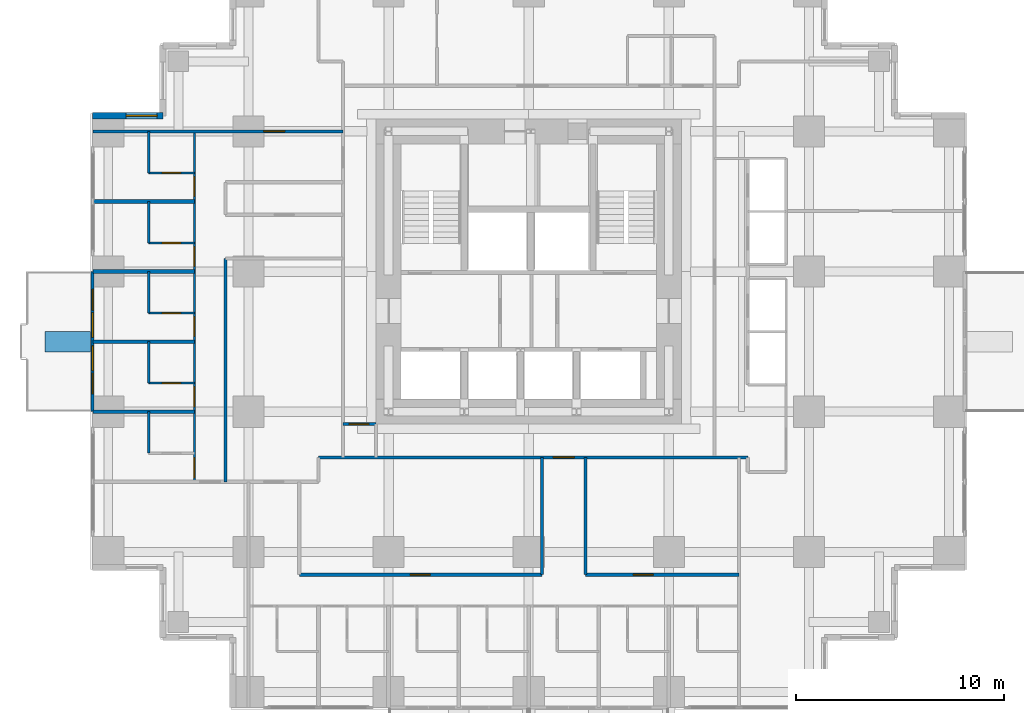
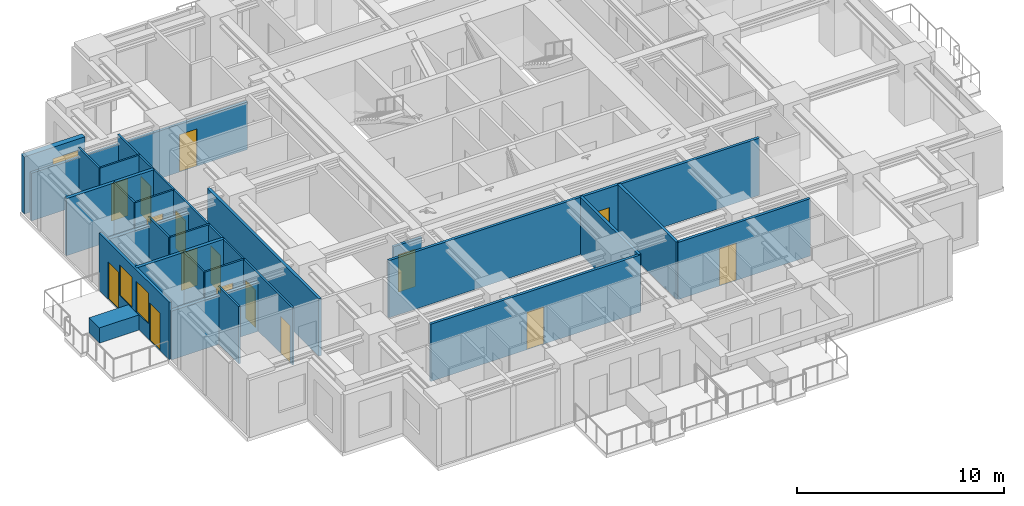
# One storey, part 6 of 11: 25 walls, 16 doors, 3 windows, 19 openings.
"""IFC4 building model written with IfcOpenShell, lengths in metres."""

from ifc_helpers import new_model, si_unit, direction, frame, frame_2d, origin, place, context, subcontext, project, spatial, rectangle, extrude, material, layer, layer_set, type_object, element, fill, save


model = new_model("IFC4")

# Units and contexts
model_context = context("Model", 3, precision=1e-05, world=origin(), true_north=direction((0.0, 1.0)))
body_context = subcontext(model_context, "Body", "Model", "MODEL_VIEW")
ifc_project = project(units=[si_unit("LENGTHUNIT", "METRE"), si_unit("AREAUNIT", "SQUARE_METRE"), si_unit("VOLUMEUNIT", "CUBIC_METRE"), si_unit("PLANEANGLEUNIT", "RADIAN"), si_unit("MASSUNIT", "GRAM", prefix="KILO")], contexts=[model_context])

# Site, building, storey
site_placement = place(None, origin())
site = spatial("IfcSite", under=ifc_project, at=site_placement, CompositionType="ELEMENT")
building_placement = place(site_placement, origin())
building = spatial("IfcBuilding", under=site, at=building_placement, Name="Nyansa Garden Tower", CompositionType="ELEMENT")
storey_placement = place(building_placement, frame((0.0, 0.0, 108.89990234375)))
storey = spatial("IfcBuildingStorey", under=building, at=storey_placement, Name="L29", CompositionType="ELEMENT", Elevation=108.89990234375)

# Walls
ifc_material_1 = material(Name="Dense blockwork, plastered both sides, 55 dB", Category="masonry")
ifc_layer_1 = layer(ifc_material_1, 0.175048828125)
ifc_layer_set_1 = layer_set([ifc_layer_1], Name="Acoustic party wall PW175")
wall_type_1 = type_object("IfcWallType", Name="Acoustic party wall PW175", PredefinedType="PARTITIONING", material=ifc_layer_set_1)
wall_1_placement = place(storey_placement, frame((-0.73388671875, 13.5, 0.0), z_axis=(0.0, 0.0, 1.0), x_axis=(1.0, 0.0, 0.0)))
element("IfcWall", 1, at=wall_1_placement, inside=storey, type_object=wall_type_1, Name="Party wall", PredefinedType="PARTITIONING", context=body_context, shape_type="SweptSolid", body=[
    extrude(rectangle(XDim=4.8837890625, YDim=0.175048828125, at=frame_2d((2.44189453125, 0.0))), origin(), (0.0, 0.0, 1.0), 2.877197265625),
])
wall_2_placement = place(storey_placement, frame((-0.73388671875, 16.875, 0.0), z_axis=(0.0, 0.0, 1.0), x_axis=(1.0, 0.0, 0.0)))
element("IfcWall", 2, at=wall_2_placement, inside=storey, type_object=wall_type_1, Name="Party wall", PredefinedType="PARTITIONING", context=body_context, shape_type="SweptSolid", body=[
    extrude(rectangle(XDim=4.8837890625, YDim=0.175048828125, at=frame_2d((2.44189453125, 0.0))), origin(), (0.0, 0.0, 1.0), 3.375),
])
wall_3_placement = place(storey_placement, frame((-0.73388671875, 20.25, 0.0), z_axis=(0.0, 0.0, 1.0), x_axis=(1.0, 0.0, 0.0)))
element("IfcWall", 3, at=wall_3_placement, inside=storey, type_object=wall_type_1, Name="Party wall", PredefinedType="PARTITIONING", context=body_context, shape_type="SweptSolid", body=[
    extrude(rectangle(XDim=4.8837890625, YDim=0.175048828125, at=frame_2d((2.44189453125, 0.0))), origin(), (0.0, 0.0, 1.0), 2.877197265625),
])
wall_4_placement = place(storey_placement, frame((-0.73388671875, 23.625, 0.0), z_axis=(0.0, 0.0, 1.0), x_axis=(1.0, 0.0, 0.0)))
element("IfcWall", 4, at=wall_4_placement, inside=storey, type_object=wall_type_1, Name="Party wall", PredefinedType="PARTITIONING", context=body_context, shape_type="SweptSolid", body=[
    extrude(rectangle(XDim=4.8837890625, YDim=0.175048828125, at=frame_2d((2.44189453125, 0.0))), origin(), (0.0, 0.0, 1.0), 3.375),
])

# Wall, openings, doors, windows
ifc_material_2 = material(Name="Black aluminium framed glazed screen", Category="aluminium")
ifc_layer_2 = layer(ifc_material_2, 0.14990234375)
ifc_layer_set_2 = layer_set([ifc_layer_2], Name="Balcony screen wall BW150")
wall_type_2 = type_object("IfcWallType", Name="Balcony screen wall BW150", PredefinedType="SOLIDWALL", material=ifc_layer_set_2)
wall_5_placement = place(storey_placement, frame((-0.75, 13.5, 0.0), z_axis=(0.0, 0.0, 1.0), x_axis=(0.0, 1.0, 0.0)))
wall_5 = element("IfcWall", 5, at=wall_5_placement, inside=storey, type_object=wall_type_2, Name="Glazed screen wall L29 W", PredefinedType="SOLIDWALL", context=body_context, shape_type="SweptSolid", body=[
    extrude(rectangle(XDim=6.75, YDim=0.14990234375, at=frame_2d((3.375, 0.0))), origin(), (0.0, 0.0, 1.0), 3.375),
])
opening_1_placement = place(wall_5_placement, frame((0.862548828125, 0.0, 0.0)))
opening_1 = element("IfcOpeningElement", 6, at=opening_1_placement, cuts=wall_5, Name="Opening D20", PredefinedType="OPENING", context=body_context, shape_type="SweptSolid", body=[
    extrude(rectangle(XDim=1.0, YDim=2.199951171875, at=frame_2d((0.5, 1.10009765625))), frame((0.0, 0.0849609375, 0.0), z_axis=(0.0, -1.0, 0.0), x_axis=(1.0, 0.0, 0.0)), (0.0, 0.0, 1.0), 0.169921875),
])
opening_2_placement = place(wall_5_placement, frame((1.97509765625, 0.0, 0.89990234375)))
opening_2 = element("IfcOpeningElement", 7, at=opening_2_placement, cuts=wall_5, Name="Opening W6", PredefinedType="OPENING", context=body_context, shape_type="SweptSolid", body=[
    extrude(rectangle(XDim=1.199951171875, YDim=1.800048828125, at=frame_2d((0.60009765625, 0.89990234375))), frame((0.0, 0.0849609375, 0.0), z_axis=(0.0, -1.0, 0.0), x_axis=(1.0, 0.0, 0.0)), (0.0, 0.0, 1.0), 0.169921875),
])
opening_3_placement = place(wall_5_placement, frame((4.887451171875, 0.0, 0.0)))
opening_3 = element("IfcOpeningElement", 8, at=opening_3_placement, cuts=wall_5, Name="Opening D20", PredefinedType="OPENING", context=body_context, shape_type="SweptSolid", body=[
    extrude(rectangle(XDim=1.0, YDim=2.199951171875, at=frame_2d((0.5, 1.10009765625))), frame((0.0, 0.0849609375, 0.0), z_axis=(0.0, -1.0, 0.0), x_axis=(1.0, 0.0, 0.0)), (0.0, 0.0, 1.0), 0.169921875),
])
opening_4_placement = place(wall_5_placement, frame((3.574951171875, 0.0, 0.89990234375)))
opening_4 = element("IfcOpeningElement", 9, at=opening_4_placement, cuts=wall_5, Name="Opening W6", PredefinedType="OPENING", context=body_context, shape_type="SweptSolid", body=[
    extrude(rectangle(XDim=1.199951171875, YDim=1.800048828125, at=frame_2d((0.60009765625, 0.89990234375))), frame((0.0, 0.0849609375, 0.0), z_axis=(0.0, -1.0, 0.0), x_axis=(1.0, 0.0, 0.0)), (0.0, 0.0, 1.0), 0.169921875),
])
ifc_material_3 = material(Name="Black aluminium framed glazed door", Category="aluminium")
door_type_1 = type_object("IfcDoorType", Name="Balcony door D20 1000x2200", OperationType="NOTDEFINED", PredefinedType="DOOR", material=ifc_material_3)
door_1_placement = place(opening_1_placement, origin())
door_1 = element("IfcDoor", 10, at=door_1_placement, inside=storey, type_object=door_type_1, Name="Balcony door L29", OperationType="SINGLE_SWING_LEFT", OverallHeight=2.199951171875, OverallWidth=1.0, PredefinedType="DOOR", context=body_context, shape_type="SweptSolid", body=[
    extrude(rectangle(XDim=1.0, YDim=2.199951171875, at=frame_2d((0.5, 1.10009765625))), frame((0.0, 0.02490234375, 0.0), z_axis=(0.0, -1.0, 0.0), x_axis=(1.0, 0.0, 0.0)), (0.0, 0.0, 1.0), 0.050048828125),
])
fill(opening_1, door_1)
door_2_placement = place(opening_3_placement, origin())
door_2 = element("IfcDoor", 11, at=door_2_placement, inside=storey, type_object=door_type_1, Name="Balcony door L29", OperationType="SINGLE_SWING_RIGHT", OverallHeight=2.199951171875, OverallWidth=1.0, PredefinedType="DOOR", context=body_context, shape_type="SweptSolid", body=[
    extrude(rectangle(XDim=1.0, YDim=2.199951171875, at=frame_2d((0.5, 1.10009765625))), frame((0.0, 0.02490234375, 0.0), z_axis=(0.0, -1.0, 0.0), x_axis=(1.0, 0.0, 0.0)), (0.0, 0.0, 1.0), 0.050048828125),
])
fill(opening_3, door_2)
ifc_material_4 = material(Name="Black aluminium frame, dark tinted double glazing", Category="aluminium")
window_type_1 = type_object("IfcWindowType", Name="Balcony window W6 1200x1800", PartitioningType="SINGLE_PANEL", PredefinedType="WINDOW", material=ifc_material_4)
window_1_placement = place(opening_2_placement, origin())
window_1 = element("IfcWindow", 12, at=window_1_placement, inside=storey, type_object=window_type_1, Name="Window L29", OverallHeight=1.800048828125, OverallWidth=1.199951171875, PartitioningType="SINGLE_PANEL", PredefinedType="WINDOW", context=body_context, shape_type="SweptSolid", body=[
    extrude(rectangle(XDim=1.199951171875, YDim=1.800048828125, at=frame_2d((0.60009765625, 0.89990234375))), frame((0.0, 0.030029296875, 0.0), z_axis=(0.0, -1.0, 0.0), x_axis=(1.0, 0.0, 0.0)), (0.0, 0.0, 1.0), 0.06005859375),
])
fill(opening_2, window_1)
window_2_placement = place(opening_4_placement, origin())
window_2 = element("IfcWindow", 13, at=window_2_placement, inside=storey, type_object=window_type_1, Name="Window L29", OverallHeight=1.800048828125, OverallWidth=1.199951171875, PartitioningType="SINGLE_PANEL", PredefinedType="WINDOW", context=body_context, shape_type="SweptSolid", body=[
    extrude(rectangle(XDim=1.199951171875, YDim=1.800048828125, at=frame_2d((0.60009765625, 0.89990234375))), frame((0.0, 0.030029296875, 0.0), z_axis=(0.0, -1.0, 0.0), x_axis=(1.0, 0.0, 0.0)), (0.0, 0.0, 1.0), 0.06005859375),
])
fill(opening_4, window_2)

# Wall, opening, door
ifc_material_5 = material(Name="Blockwork, plastered both sides", Category="masonry")
ifc_layer_3 = layer(ifc_material_5, 0.14990234375)
ifc_layer_set_3 = layer_set([ifc_layer_3], Name="Partition PW150")
wall_type_3 = type_object("IfcWallType", Name="Partition PW150", PredefinedType="PARTITIONING", material=ifc_layer_set_3)
wall_6_placement = place(storey_placement, frame((-0.73388671875, 27.0, 0.0), z_axis=(0.0, 0.0, 1.0), x_axis=(1.0, 0.0, 0.0)))
wall_6 = element("IfcWall", 14, at=wall_6_placement, inside=storey, type_object=wall_type_3, Name="Partition", PredefinedType="PARTITIONING", context=body_context, shape_type="SweptSolid", body=[
    extrude(rectangle(XDim=12.033935546875, YDim=0.14990234375, at=frame_2d((6.01708984375, 0.0))), origin(), (0.0, 0.0, 1.0), 2.80615234375),
])
opening_5_placement = place(wall_6_placement, frame((8.23388671875, 0.0, 0.0)))
opening_5 = element("IfcOpeningElement", 15, at=opening_5_placement, cuts=wall_6, Name="Opening D03", PredefinedType="OPENING", context=body_context, shape_type="SweptSolid", body=[
    extrude(rectangle(XDim=1.0, YDim=2.199951171875, at=frame_2d((0.5, 1.10009765625))), frame((0.0, 0.0849609375, 0.0), z_axis=(0.0, -1.0, 0.0), x_axis=(1.0, 0.0, 0.0)), (0.0, 0.0, 1.0), 0.169921875),
])
ifc_material_6 = material(Name="Timber flush door, 60 minute fire resisting", Category="wood")
door_type_2 = type_object("IfcDoorType", Name="Cluster entrance door D03 1000x2200", OperationType="SINGLE_SWING_LEFT", PredefinedType="DOOR", material=ifc_material_6)
door_3_placement = place(opening_5_placement, origin())
door_3 = element("IfcDoor", 16, at=door_3_placement, inside=storey, type_object=door_type_2, Name="Door L29-054", OperationType="SINGLE_SWING_LEFT", OverallHeight=2.199951171875, OverallWidth=1.0, PredefinedType="DOOR", context=body_context, shape_type="SweptSolid", body=[
    extrude(rectangle(XDim=1.0, YDim=2.199951171875, at=frame_2d((0.5, 1.10009765625))), frame((0.0, 0.02490234375, 0.0), z_axis=(0.0, -1.0, 0.0), x_axis=(1.0, 0.0, 0.0)), (0.0, 0.0, 1.0), 0.050048828125),
])
fill(opening_5, door_3)

# Wall
wall_7_placement = place(storey_placement, frame((5.64990234375, 10.125, 0.0), z_axis=(0.0, 0.0, 1.0), x_axis=(0.0, 1.0, 0.0)))
element("IfcWall", 17, at=wall_7_placement, inside=storey, type_object=wall_type_3, Name="Partition", PredefinedType="PARTITIONING", context=body_context, shape_type="SweptSolid", body=[
    extrude(rectangle(XDim=10.762451171875, YDim=0.14990234375, at=frame_2d((5.38134765625, 0.0))), origin(), (0.0, 0.0, 1.0), 3.375),
])

# Wall, opening, door
wall_8_placement = place(storey_placement, frame((9.199951171875, 5.64990234375, 0.0), z_axis=(0.0, 0.0, 1.0), x_axis=(1.0, 0.0, 0.0)))
wall_8 = element("IfcWall", 18, at=wall_8_placement, inside=storey, type_object=wall_type_3, Name="Partition", PredefinedType="PARTITIONING", context=body_context, shape_type="SweptSolid", body=[
    extrude(rectangle(XDim=11.6875, YDim=0.14990234375, at=frame_2d((5.84375, 0.0))), origin(), (0.0, 0.0, 1.0), 3.375),
])
opening_6_placement = place(wall_8_placement, frame((5.35009765625, 0.0, 0.0)))
opening_6 = element("IfcOpeningElement", 19, at=opening_6_placement, cuts=wall_8, Name="Opening D01", PredefinedType="OPENING", context=body_context, shape_type="SweptSolid", body=[
    extrude(rectangle(XDim=0.949951171875, YDim=2.199951171875, at=frame_2d((0.47509765625, 1.10009765625))), frame((0.0, 0.0849609375, 0.0), z_axis=(0.0, -1.0, 0.0), x_axis=(1.0, 0.0, 0.0)), (0.0, 0.0, 1.0), 0.169921875),
])
ifc_material_7 = material(Name="Timber flush door, 30 minute fire resisting", Category="wood")
door_type_3 = type_object("IfcDoorType", Name="Bedroom door D01 950x2200", OperationType="SINGLE_SWING_LEFT", PredefinedType="DOOR", material=ifc_material_7)
door_4_placement = place(opening_6_placement, origin())
door_4 = element("IfcDoor", 20, at=door_4_placement, inside=storey, type_object=door_type_3, Name="Door L29-035", OperationType="SINGLE_SWING_LEFT", OverallHeight=2.199951171875, OverallWidth=0.949951171875, PredefinedType="DOOR", context=body_context, shape_type="SweptSolid", body=[
    extrude(rectangle(XDim=0.949951171875, YDim=2.199951171875, at=frame_2d((0.47509765625, 1.10009765625))), frame((0.0, 0.02490234375, 0.0), z_axis=(0.0, -1.0, 0.0), x_axis=(1.0, 0.0, 0.0)), (0.0, 0.0, 1.0), 0.050048828125),
])
fill(opening_6, door_4)

wall_9_placement = place(storey_placement, frame((10.125, 11.300048828125, 0.0), z_axis=(0.0, 0.0, 1.0), x_axis=(1.0, 0.0, 0.0)))
wall_9 = element("IfcWall", 21, at=wall_9_placement, inside=storey, type_object=wall_type_3, Name="Partition", PredefinedType="PARTITIONING", context=body_context, shape_type="SweptSolid", body=[
    extrude(rectangle(XDim=20.675048828125, YDim=0.14990234375, at=frame_2d((10.33740234375, 0.0))), origin(), (0.0, 0.0, 1.0), 3.375),
])
opening_7_placement = place(wall_9_placement, frame((11.3125, 0.0, 0.0)))
opening_7 = element("IfcOpeningElement", 22, at=opening_7_placement, cuts=wall_9, Name="Opening D03", PredefinedType="OPENING", context=body_context, shape_type="SweptSolid", body=[
    extrude(rectangle(XDim=1.0, YDim=2.199951171875, at=frame_2d((0.5, 1.10009765625))), frame((0.0, 0.0849609375, 0.0), z_axis=(0.0, -1.0, 0.0), x_axis=(1.0, 0.0, 0.0)), (0.0, 0.0, 1.0), 0.169921875),
])
door_5_placement = place(opening_7_placement, origin())
door_5 = element("IfcDoor", 23, at=door_5_placement, inside=storey, type_object=door_type_2, Name="Door L29-033", OperationType="SINGLE_SWING_LEFT", OverallHeight=2.199951171875, OverallWidth=1.0, PredefinedType="DOOR", context=body_context, shape_type="SweptSolid", body=[
    extrude(rectangle(XDim=1.0, YDim=2.199951171875, at=frame_2d((0.5, 1.10009765625))), frame((0.0, 0.02490234375, 0.0), z_axis=(0.0, -1.0, 0.0), x_axis=(1.0, 0.0, 0.0)), (0.0, 0.0, 1.0), 0.050048828125),
])
fill(opening_7, door_5)

wall_10_placement = place(storey_placement, frame((11.300048828125, 12.89990234375, 0.0), z_axis=(0.0, 0.0, 1.0), x_axis=(1.0, 0.0, 0.0)))
wall_10 = element("IfcWall", 24, at=wall_10_placement, inside=storey, type_object=wall_type_3, Name="Partition", PredefinedType="PARTITIONING", context=body_context, shape_type="SweptSolid", body=[
    extrude(rectangle(XDim=1.599853515625, YDim=0.14990234375, at=frame_2d((0.7998046875, 0.0))), origin(), (0.0, 0.0, 1.0), 2.80615234375),
])
opening_8_placement = place(wall_10_placement, frame((0.300048828125, 0.0, 0.0)))
opening_8 = element("IfcOpeningElement", 25, at=opening_8_placement, cuts=wall_10, Name="Opening D01", PredefinedType="OPENING", context=body_context, shape_type="SweptSolid", body=[
    extrude(rectangle(XDim=0.949951171875, YDim=2.199951171875, at=frame_2d((0.47509765625, 1.10009765625))), frame((0.0, 0.0849609375, 0.0), z_axis=(0.0, -1.0, 0.0), x_axis=(1.0, 0.0, 0.0)), (0.0, 0.0, 1.0), 0.169921875),
])
door_6_placement = place(opening_8_placement, origin())
door_6 = element("IfcDoor", 26, at=door_6_placement, inside=storey, type_object=door_type_3, Name="Door L29-017", OperationType="SINGLE_SWING_LEFT", OverallHeight=2.199951171875, OverallWidth=0.949951171875, PredefinedType="DOOR", context=body_context, shape_type="SweptSolid", body=[
    extrude(rectangle(XDim=0.949951171875, YDim=2.199951171875, at=frame_2d((0.47509765625, 1.10009765625))), frame((0.0, 0.02490234375, 0.0), z_axis=(0.0, -1.0, 0.0), x_axis=(1.0, 0.0, 0.0)), (0.0, 0.0, 1.0), 0.050048828125),
])
fill(opening_8, door_6)

# Wall
wall_11_placement = place(storey_placement, frame((20.886962890625, 5.64990234375, 0.0), z_axis=(0.0, 0.0, 1.0), x_axis=(0.0, 1.0, 0.0)))
element("IfcWall", 27, at=wall_11_placement, inside=storey, type_object=wall_type_3, Name="Partition", PredefinedType="PARTITIONING", context=body_context, shape_type="SweptSolid", body=[
    extrude(rectangle(XDim=5.650146484375, YDim=0.14990234375, at=frame_2d((2.8251953125, 0.0))), origin(), (0.0, 0.0, 1.0), 3.375),
])

# Wall, opening, door
wall_12_placement = place(storey_placement, frame((22.987548828125, 5.64990234375, 0.0), z_axis=(0.0, 0.0, 1.0), x_axis=(1.0, 0.0, 0.0)))
wall_12 = element("IfcWall", 28, at=wall_12_placement, inside=storey, type_object=wall_type_3, Name="Partition", PredefinedType="PARTITIONING", context=body_context, shape_type="SweptSolid", body=[
    extrude(rectangle(XDim=7.387451171875, YDim=0.14990234375, at=frame_2d((3.69384765625, 0.0))), origin(), (0.0, 0.0, 1.0), 3.375),
])
opening_9_placement = place(wall_12_placement, frame((2.300048828125, 0.0, 0.0)))
opening_9 = element("IfcOpeningElement", 29, at=opening_9_placement, cuts=wall_12, Name="Opening D01", PredefinedType="OPENING", context=body_context, shape_type="SweptSolid", body=[
    extrude(rectangle(XDim=0.949951171875, YDim=2.199951171875, at=frame_2d((0.47509765625, 1.10009765625))), frame((0.0, 0.0849609375, 0.0), z_axis=(0.0, -1.0, 0.0), x_axis=(1.0, 0.0, 0.0)), (0.0, 0.0, 1.0), 0.169921875),
])
door_7_placement = place(opening_9_placement, origin())
door_7 = element("IfcDoor", 30, at=door_7_placement, inside=storey, type_object=door_type_3, Name="Door L29-034", OperationType="SINGLE_SWING_LEFT", OverallHeight=2.199951171875, OverallWidth=0.949951171875, PredefinedType="DOOR", context=body_context, shape_type="SweptSolid", body=[
    extrude(rectangle(XDim=0.949951171875, YDim=2.199951171875, at=frame_2d((0.47509765625, 1.10009765625))), frame((0.0, 0.02490234375, 0.0), z_axis=(0.0, -1.0, 0.0), x_axis=(1.0, 0.0, 0.0)), (0.0, 0.0, 1.0), 0.050048828125),
])
fill(opening_9, door_7)

# Wall
wall_13_placement = place(storey_placement, frame((22.988037109375, 5.64990234375, 0.0), z_axis=(0.0, 0.0, 1.0), x_axis=(0.0, 1.0, 0.0)))
element("IfcWall", 31, at=wall_13_placement, inside=storey, type_object=wall_type_3, Name="Partition", PredefinedType="PARTITIONING", context=body_context, shape_type="SweptSolid", body=[
    extrude(rectangle(XDim=5.650146484375, YDim=0.14990234375, at=frame_2d((2.8251953125, 0.0))), origin(), (0.0, 0.0, 1.0), 3.375),
])

# Wall, opening, window
ifc_material_8 = material(Name="Turquoise glazed tile on concrete blockwork", Category="masonry")
ifc_layer_4 = layer(ifc_material_8, 0.300048828125)
ifc_layer_set_4 = layer_set([ifc_layer_4], Name="Tiled corner wall TW300")
wall_type_4 = type_object("IfcWallType", Name="Tiled corner wall TW300", PredefinedType="SOLIDWALL", material=ifc_layer_set_4)
wall_14_placement = place(storey_placement, frame((2.625, 27.75, 0.0), z_axis=(0.0, 0.0, 1.0), x_axis=(-1.0, 0.0, 0.0)))
wall_14 = element("IfcWall", 32, at=wall_14_placement, inside=storey, type_object=wall_type_4, Name="Tiled corner wall L29", PredefinedType="SOLIDWALL", context=body_context, shape_type="SweptSolid", body=[
    extrude(rectangle(XDim=3.375, YDim=0.300048828125, at=frame_2d((1.6875, 0.0))), origin(), (0.0, 0.0, 1.0), 3.375),
])
opening_10_placement = place(wall_14_placement, frame((0.267578125, 0.0, 0.89990234375)))
opening_10 = element("IfcOpeningElement", 33, at=opening_10_placement, cuts=wall_14, Name="Opening W1", PredefinedType="OPENING", context=body_context, shape_type="SweptSolid", body=[
    extrude(rectangle(XDim=1.5, YDim=1.800048828125, at=frame_2d((0.75, 0.89990234375))), frame((0.0, 0.159912109375, 0.0), z_axis=(0.0, -1.0, 0.0), x_axis=(1.0, 0.0, 0.0)), (0.0, 0.0, 1.0), 0.320068359375),
])
ifc_material_9 = material(Name="Black aluminium frame, dark tinted double glazing", Category="aluminium")
window_type_2 = type_object("IfcWindowType", Name="Window W1 1500x1800", PartitioningType="SINGLE_PANEL", PredefinedType="WINDOW", material=ifc_material_9)
window_3_placement = place(opening_10_placement, origin())
window_3 = element("IfcWindow", 34, at=window_3_placement, inside=storey, type_object=window_type_2, Name="Corner window L29", OverallHeight=1.800048828125, OverallWidth=1.5, PartitioningType="SINGLE_PANEL", PredefinedType="WINDOW", context=body_context, shape_type="SweptSolid", body=[
    extrude(rectangle(XDim=1.5, YDim=1.800048828125, at=frame_2d((0.75, 0.89990234375))), frame((0.0, 0.030029296875, 0.0), z_axis=(0.0, -1.0, 0.0), x_axis=(1.0, 0.0, 0.0)), (0.0, 0.0, 1.0), 0.06005859375),
])
fill(opening_10, window_3)

# Walls
ifc_material_10 = material(Name="Concrete C40/50 planter, waterproofed", Category="concrete")
ifc_layer_5 = layer(ifc_material_10, 1.0)
ifc_layer_set_5 = layer_set([ifc_layer_5], Name="Tree planter TP1")
wall_type_5 = type_object("IfcWallType", Name="Tree planter TP1", PredefinedType="USERDEFINED", material=ifc_layer_set_5)
wall_15_placement = place(storey_placement, frame((-0.85009765625, 16.875, 0.0), z_axis=(0.0, 0.0, 1.0), x_axis=(-1.0, 0.0, 0.0)))
element("IfcWall", 35, at=wall_15_placement, inside=storey, type_object=wall_type_5, Name="Tree planter L29", ObjectType="TREE PLANTER", PredefinedType="USERDEFINED", context=body_context, shape_type="SweptSolid", body=[
    extrude(rectangle(XDim=2.199951171875, YDim=1.0, at=frame_2d((1.10009765625, 0.0))), origin(), (0.0, 0.0, 1.0), 0.900146484375),
])
ifc_material_11 = material(Name="Moisture resistant board on steel studs, tiled", Category="steel")
ifc_layer_6 = layer(ifc_material_11, 0.10009765625)
ifc_layer_set_6 = layer_set([ifc_layer_6], Name="Wet wall PW100")
wall_type_6 = type_object("IfcWallType", Name="Wet wall PW100", PredefinedType="PARTITIONING", material=ifc_layer_set_6)
for number, where, z_axis, x_axis, name in (
    (36, (1.949951171875, 11.5, 0.0), (0.0, 0.0, 1.0), (0.0, 1.0, 0.0), "Wet wall"),
    (37, (1.949951171875, 14.875, 0.0), (0.0, 0.0, 1.0), (0.0, 1.0, 0.0), "Wet wall"),
):
    element("IfcWall", number, at=place(storey_placement, frame(where, z_axis=z_axis, x_axis=x_axis)), inside=storey, type_object=wall_type_6, Name=name, PredefinedType="PARTITIONING", context=body_context, shape_type="SweptSolid", body=[
        extrude(rectangle(XDim=2.0, YDim=0.10009765625, at=frame_2d((1.0, 0.0))), origin(), (0.0, 0.0, 1.0), 3.375),
    ])

# Wall, opening, door
wall_16_placement = place(storey_placement, frame((1.949951171875, 14.875, 0.0), z_axis=(0.0, 0.0, 1.0), x_axis=(1.0, 0.0, 0.0)))
wall_16 = element("IfcWall", 38, at=wall_16_placement, inside=storey, type_object=wall_type_6, Name="Wet wall", PredefinedType="PARTITIONING", context=body_context, shape_type="SweptSolid", body=[
    extrude(rectangle(XDim=2.199951171875, YDim=0.10009765625, at=frame_2d((1.10009765625, 0.0))), origin(), (0.0, 0.0, 1.0), 3.375),
])
opening_11_placement = place(wall_16_placement, frame((0.64990234375, 0.0, 0.0)))
opening_11 = element("IfcOpeningElement", 39, at=opening_11_placement, cuts=wall_16, Name="Opening D02", PredefinedType="OPENING", context=body_context, shape_type="SweptSolid", body=[
    extrude(rectangle(XDim=0.89990234375, YDim=2.199951171875, at=frame_2d((0.449951171875, 1.10009765625))), frame((0.0, 0.06005859375, 0.0), z_axis=(0.0, -1.0, 0.0), x_axis=(1.0, 0.0, 0.0)), (0.0, 0.0, 1.0), 0.1201171875),
])
ifc_material_12 = material(Name="Timber flush door", Category="wood")
door_type_4 = type_object("IfcDoorType", Name="En-suite door D02 900x2200", OperationType="SINGLE_SWING_RIGHT", PredefinedType="DOOR", material=ifc_material_12)
door_8_placement = place(opening_11_placement, origin())
door_8 = element("IfcDoor", 40, at=door_8_placement, inside=storey, type_object=door_type_4, Name="Door L29-047", OperationType="SINGLE_SWING_RIGHT", OverallHeight=2.199951171875, OverallWidth=0.89990234375, PredefinedType="DOOR", context=body_context, shape_type="SweptSolid", body=[
    extrude(rectangle(XDim=0.89990234375, YDim=2.199951171875, at=frame_2d((0.449951171875, 1.10009765625))), frame((0.0, 0.02490234375, 0.0), z_axis=(0.0, -1.0, 0.0), x_axis=(1.0, 0.0, 0.0)), (0.0, 0.0, 1.0), 0.050048828125),
])
fill(opening_11, door_8)

# Wall
wall_17_placement = place(storey_placement, frame((1.949951171875, 18.25, 0.0), z_axis=(0.0, 0.0, 1.0), x_axis=(0.0, 1.0, 0.0)))
element("IfcWall", 41, at=wall_17_placement, inside=storey, type_object=wall_type_6, Name="Wet wall", PredefinedType="PARTITIONING", context=body_context, shape_type="SweptSolid", body=[
    extrude(rectangle(XDim=2.0, YDim=0.10009765625, at=frame_2d((1.0, 0.0))), origin(), (0.0, 0.0, 1.0), 3.375),
])

# Wall, opening, door
wall_18_placement = place(storey_placement, frame((1.949951171875, 18.25, 0.0), z_axis=(0.0, 0.0, 1.0), x_axis=(1.0, 0.0, 0.0)))
wall_18 = element("IfcWall", 42, at=wall_18_placement, inside=storey, type_object=wall_type_6, Name="Wet wall", PredefinedType="PARTITIONING", context=body_context, shape_type="SweptSolid", body=[
    extrude(rectangle(XDim=2.199951171875, YDim=0.10009765625, at=frame_2d((1.10009765625, 0.0))), origin(), (0.0, 0.0, 1.0), 3.375),
])
opening_12_placement = place(wall_18_placement, frame((0.64990234375, 0.0, 0.0)))
opening_12 = element("IfcOpeningElement", 43, at=opening_12_placement, cuts=wall_18, Name="Opening D02", PredefinedType="OPENING", context=body_context, shape_type="SweptSolid", body=[
    extrude(rectangle(XDim=0.89990234375, YDim=2.199951171875, at=frame_2d((0.449951171875, 1.10009765625))), frame((0.0, 0.06005859375, 0.0), z_axis=(0.0, -1.0, 0.0), x_axis=(1.0, 0.0, 0.0)), (0.0, 0.0, 1.0), 0.1201171875),
])
door_9_placement = place(opening_12_placement, origin())
door_9 = element("IfcDoor", 44, at=door_9_placement, inside=storey, type_object=door_type_4, Name="Door L29-049", OperationType="SINGLE_SWING_RIGHT", OverallHeight=2.199951171875, OverallWidth=0.89990234375, PredefinedType="DOOR", context=body_context, shape_type="SweptSolid", body=[
    extrude(rectangle(XDim=0.89990234375, YDim=2.199951171875, at=frame_2d((0.449951171875, 1.10009765625))), frame((0.0, 0.02490234375, 0.0), z_axis=(0.0, -1.0, 0.0), x_axis=(1.0, 0.0, 0.0)), (0.0, 0.0, 1.0), 0.050048828125),
])
fill(opening_12, door_9)

# Wall
wall_19_placement = place(storey_placement, frame((1.949951171875, 21.625, 0.0), z_axis=(0.0, 0.0, 1.0), x_axis=(0.0, 1.0, 0.0)))
element("IfcWall", 45, at=wall_19_placement, inside=storey, type_object=wall_type_6, Name="Wet wall", PredefinedType="PARTITIONING", context=body_context, shape_type="SweptSolid", body=[
    extrude(rectangle(XDim=2.0, YDim=0.10009765625, at=frame_2d((1.0, 0.0))), origin(), (0.0, 0.0, 1.0), 3.375),
])

# Wall, opening, door
wall_20_placement = place(storey_placement, frame((1.949951171875, 21.625, 0.0), z_axis=(0.0, 0.0, 1.0), x_axis=(1.0, 0.0, 0.0)))
wall_20 = element("IfcWall", 46, at=wall_20_placement, inside=storey, type_object=wall_type_6, Name="Wet wall", PredefinedType="PARTITIONING", context=body_context, shape_type="SweptSolid", body=[
    extrude(rectangle(XDim=2.199951171875, YDim=0.10009765625, at=frame_2d((1.10009765625, 0.0))), origin(), (0.0, 0.0, 1.0), 3.375),
])
opening_13_placement = place(wall_20_placement, frame((0.64990234375, 0.0, 0.0)))
opening_13 = element("IfcOpeningElement", 47, at=opening_13_placement, cuts=wall_20, Name="Opening D02", PredefinedType="OPENING", context=body_context, shape_type="SweptSolid", body=[
    extrude(rectangle(XDim=0.89990234375, YDim=2.199951171875, at=frame_2d((0.449951171875, 1.10009765625))), frame((0.0, 0.06005859375, 0.0), z_axis=(0.0, -1.0, 0.0), x_axis=(1.0, 0.0, 0.0)), (0.0, 0.0, 1.0), 0.1201171875),
])
door_10_placement = place(opening_13_placement, origin())
door_10 = element("IfcDoor", 48, at=door_10_placement, inside=storey, type_object=door_type_4, Name="Door L29-051", OperationType="SINGLE_SWING_RIGHT", OverallHeight=2.199951171875, OverallWidth=0.89990234375, PredefinedType="DOOR", context=body_context, shape_type="SweptSolid", body=[
    extrude(rectangle(XDim=0.89990234375, YDim=2.199951171875, at=frame_2d((0.449951171875, 1.10009765625))), frame((0.0, 0.02490234375, 0.0), z_axis=(0.0, -1.0, 0.0), x_axis=(1.0, 0.0, 0.0)), (0.0, 0.0, 1.0), 0.050048828125),
])
fill(opening_13, door_10)

# Wall
wall_21_placement = place(storey_placement, frame((1.949951171875, 25.0, 0.0), z_axis=(0.0, 0.0, 1.0), x_axis=(0.0, 1.0, 0.0)))
element("IfcWall", 49, at=wall_21_placement, inside=storey, type_object=wall_type_6, Name="Wet wall", PredefinedType="PARTITIONING", context=body_context, shape_type="SweptSolid", body=[
    extrude(rectangle(XDim=2.0, YDim=0.10009765625, at=frame_2d((1.0, 0.0))), origin(), (0.0, 0.0, 1.0), 3.375),
])

# Wall, opening, door
wall_22_placement = place(storey_placement, frame((1.949951171875, 25.0, 0.0), z_axis=(0.0, 0.0, 1.0), x_axis=(1.0, 0.0, 0.0)))
wall_22 = element("IfcWall", 50, at=wall_22_placement, inside=storey, type_object=wall_type_6, Name="Wet wall", PredefinedType="PARTITIONING", context=body_context, shape_type="SweptSolid", body=[
    extrude(rectangle(XDim=2.199951171875, YDim=0.10009765625, at=frame_2d((1.10009765625, 0.0))), origin(), (0.0, 0.0, 1.0), 3.375),
])
opening_14_placement = place(wall_22_placement, frame((0.64990234375, 0.0, 0.0)))
opening_14 = element("IfcOpeningElement", 51, at=opening_14_placement, cuts=wall_22, Name="Opening D02", PredefinedType="OPENING", context=body_context, shape_type="SweptSolid", body=[
    extrude(rectangle(XDim=0.89990234375, YDim=2.199951171875, at=frame_2d((0.449951171875, 1.10009765625))), frame((0.0, 0.06005859375, 0.0), z_axis=(0.0, -1.0, 0.0), x_axis=(1.0, 0.0, 0.0)), (0.0, 0.0, 1.0), 0.1201171875),
])
door_11_placement = place(opening_14_placement, origin())
door_11 = element("IfcDoor", 52, at=door_11_placement, inside=storey, type_object=door_type_4, Name="Door L29-053", OperationType="SINGLE_SWING_RIGHT", OverallHeight=2.199951171875, OverallWidth=0.89990234375, PredefinedType="DOOR", context=body_context, shape_type="SweptSolid", body=[
    extrude(rectangle(XDim=0.89990234375, YDim=2.199951171875, at=frame_2d((0.449951171875, 1.10009765625))), frame((0.0, 0.02490234375, 0.0), z_axis=(0.0, -1.0, 0.0), x_axis=(1.0, 0.0, 0.0)), (0.0, 0.0, 1.0), 0.050048828125),
])
fill(opening_14, door_11)

# Wall, openings, doors
wall_23_placement = place(storey_placement, frame((4.14990234375, 10.125, 0.0), z_axis=(0.0, 0.0, 1.0), x_axis=(0.0, 1.0, 0.0)))
wall_23 = element("IfcWall", 53, at=wall_23_placement, inside=storey, type_object=wall_type_6, Name="Wet wall", PredefinedType="PARTITIONING", context=body_context, shape_type="SweptSolid", body=[
    extrude(rectangle(XDim=16.875, YDim=0.10009765625, at=frame_2d((8.4375, 0.0))), origin(), (0.0, 0.0, 1.0), 3.375),
])
opening_15_placement = place(wall_23_placement, frame((0.199951171875, 0.0, 0.0)))
opening_15 = element("IfcOpeningElement", 54, at=opening_15_placement, cuts=wall_23, Name="Opening D01", PredefinedType="OPENING", context=body_context, shape_type="SweptSolid", body=[
    extrude(rectangle(XDim=0.949951171875, YDim=2.199951171875, at=frame_2d((0.47509765625, 1.10009765625))), frame((0.0, 0.06005859375, 0.0), z_axis=(0.0, -1.0, 0.0), x_axis=(1.0, 0.0, 0.0)), (0.0, 0.0, 1.0), 0.1201171875),
])
opening_16_placement = place(wall_23_placement, frame((3.625, 0.0, 0.0)))
opening_16 = element("IfcOpeningElement", 55, at=opening_16_placement, cuts=wall_23, Name="Opening D01", PredefinedType="OPENING", context=body_context, shape_type="SweptSolid", body=[
    extrude(rectangle(XDim=0.949951171875, YDim=2.199951171875, at=frame_2d((0.47509765625, 1.10009765625))), frame((0.0, 0.06005859375, 0.0), z_axis=(0.0, -1.0, 0.0), x_axis=(1.0, 0.0, 0.0)), (0.0, 0.0, 1.0), 0.1201171875),
])
opening_17_placement = place(wall_23_placement, frame((7.0, 0.0, 0.0)))
opening_17 = element("IfcOpeningElement", 56, at=opening_17_placement, cuts=wall_23, Name="Opening D01", PredefinedType="OPENING", context=body_context, shape_type="SweptSolid", body=[
    extrude(rectangle(XDim=0.949951171875, YDim=2.199951171875, at=frame_2d((0.47509765625, 1.10009765625))), frame((0.0, 0.06005859375, 0.0), z_axis=(0.0, -1.0, 0.0), x_axis=(1.0, 0.0, 0.0)), (0.0, 0.0, 1.0), 0.1201171875),
])
opening_18_placement = place(wall_23_placement, frame((10.375, 0.0, 0.0)))
opening_18 = element("IfcOpeningElement", 57, at=opening_18_placement, cuts=wall_23, Name="Opening D01", PredefinedType="OPENING", context=body_context, shape_type="SweptSolid", body=[
    extrude(rectangle(XDim=0.949951171875, YDim=2.199951171875, at=frame_2d((0.47509765625, 1.10009765625))), frame((0.0, 0.06005859375, 0.0), z_axis=(0.0, -1.0, 0.0), x_axis=(1.0, 0.0, 0.0)), (0.0, 0.0, 1.0), 0.1201171875),
])
opening_19_placement = place(wall_23_placement, frame((13.75, 0.0, 0.0)))
opening_19 = element("IfcOpeningElement", 58, at=opening_19_placement, cuts=wall_23, Name="Opening D01", PredefinedType="OPENING", context=body_context, shape_type="SweptSolid", body=[
    extrude(rectangle(XDim=0.949951171875, YDim=2.199951171875, at=frame_2d((0.47509765625, 1.10009765625))), frame((0.0, 0.06005859375, 0.0), z_axis=(0.0, -1.0, 0.0), x_axis=(1.0, 0.0, 0.0)), (0.0, 0.0, 1.0), 0.1201171875),
])
door_12_placement = place(opening_15_placement, origin())
door_12 = element("IfcDoor", 59, at=door_12_placement, inside=storey, type_object=door_type_3, Name="Door L29-044", OperationType="SINGLE_SWING_LEFT", OverallHeight=2.199951171875, OverallWidth=0.949951171875, PredefinedType="DOOR", context=body_context, shape_type="SweptSolid", body=[
    extrude(rectangle(XDim=0.949951171875, YDim=2.199951171875, at=frame_2d((0.47509765625, 1.10009765625))), frame((0.0, 0.02490234375, 0.0), z_axis=(0.0, -1.0, 0.0), x_axis=(1.0, 0.0, 0.0)), (0.0, 0.0, 1.0), 0.050048828125),
])
fill(opening_15, door_12)
door_13_placement = place(opening_16_placement, origin())
door_13 = element("IfcDoor", 60, at=door_13_placement, inside=storey, type_object=door_type_3, Name="Door L29-046", OperationType="SINGLE_SWING_LEFT", OverallHeight=2.199951171875, OverallWidth=0.949951171875, PredefinedType="DOOR", context=body_context, shape_type="SweptSolid", body=[
    extrude(rectangle(XDim=0.949951171875, YDim=2.199951171875, at=frame_2d((0.47509765625, 1.10009765625))), frame((0.0, 0.02490234375, 0.0), z_axis=(0.0, -1.0, 0.0), x_axis=(1.0, 0.0, 0.0)), (0.0, 0.0, 1.0), 0.050048828125),
])
fill(opening_16, door_13)
door_14_placement = place(opening_17_placement, origin())
door_14 = element("IfcDoor", 61, at=door_14_placement, inside=storey, type_object=door_type_3, Name="Door L29-048", OperationType="SINGLE_SWING_LEFT", OverallHeight=2.199951171875, OverallWidth=0.949951171875, PredefinedType="DOOR", context=body_context, shape_type="SweptSolid", body=[
    extrude(rectangle(XDim=0.949951171875, YDim=2.199951171875, at=frame_2d((0.47509765625, 1.10009765625))), frame((0.0, 0.02490234375, 0.0), z_axis=(0.0, -1.0, 0.0), x_axis=(1.0, 0.0, 0.0)), (0.0, 0.0, 1.0), 0.050048828125),
])
fill(opening_17, door_14)
door_15_placement = place(opening_18_placement, origin())
door_15 = element("IfcDoor", 62, at=door_15_placement, inside=storey, type_object=door_type_3, Name="Door L29-050", OperationType="SINGLE_SWING_LEFT", OverallHeight=2.199951171875, OverallWidth=0.949951171875, PredefinedType="DOOR", context=body_context, shape_type="SweptSolid", body=[
    extrude(rectangle(XDim=0.949951171875, YDim=2.199951171875, at=frame_2d((0.47509765625, 1.10009765625))), frame((0.0, 0.02490234375, 0.0), z_axis=(0.0, -1.0, 0.0), x_axis=(1.0, 0.0, 0.0)), (0.0, 0.0, 1.0), 0.050048828125),
])
fill(opening_18, door_15)
door_16_placement = place(opening_19_placement, origin())
door_16 = element("IfcDoor", 63, at=door_16_placement, inside=storey, type_object=door_type_3, Name="Door L29-052", OperationType="SINGLE_SWING_LEFT", OverallHeight=2.199951171875, OverallWidth=0.949951171875, PredefinedType="DOOR", context=body_context, shape_type="SweptSolid", body=[
    extrude(rectangle(XDim=0.949951171875, YDim=2.199951171875, at=frame_2d((0.47509765625, 1.10009765625))), frame((0.0, 0.02490234375, 0.0), z_axis=(0.0, -1.0, 0.0), x_axis=(1.0, 0.0, 0.0)), (0.0, 0.0, 1.0), 0.050048828125),
])
fill(opening_19, door_16)

save(model, "model.ifc")
